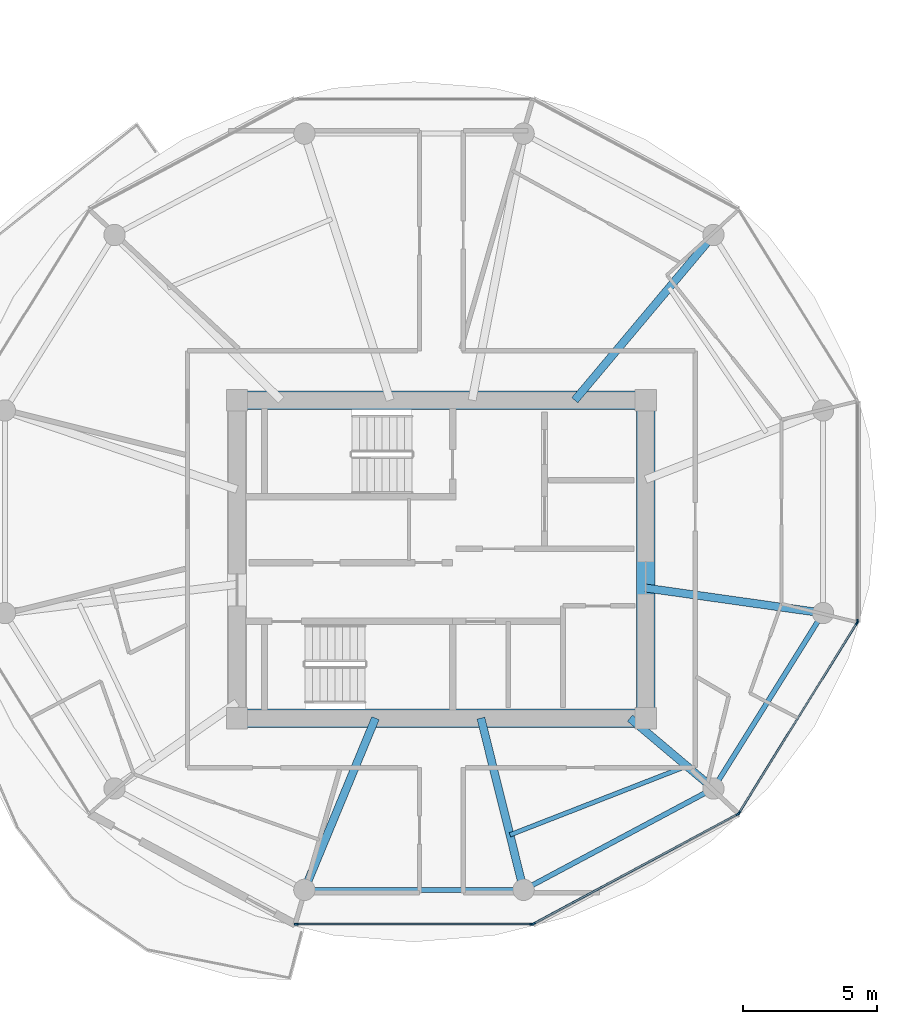
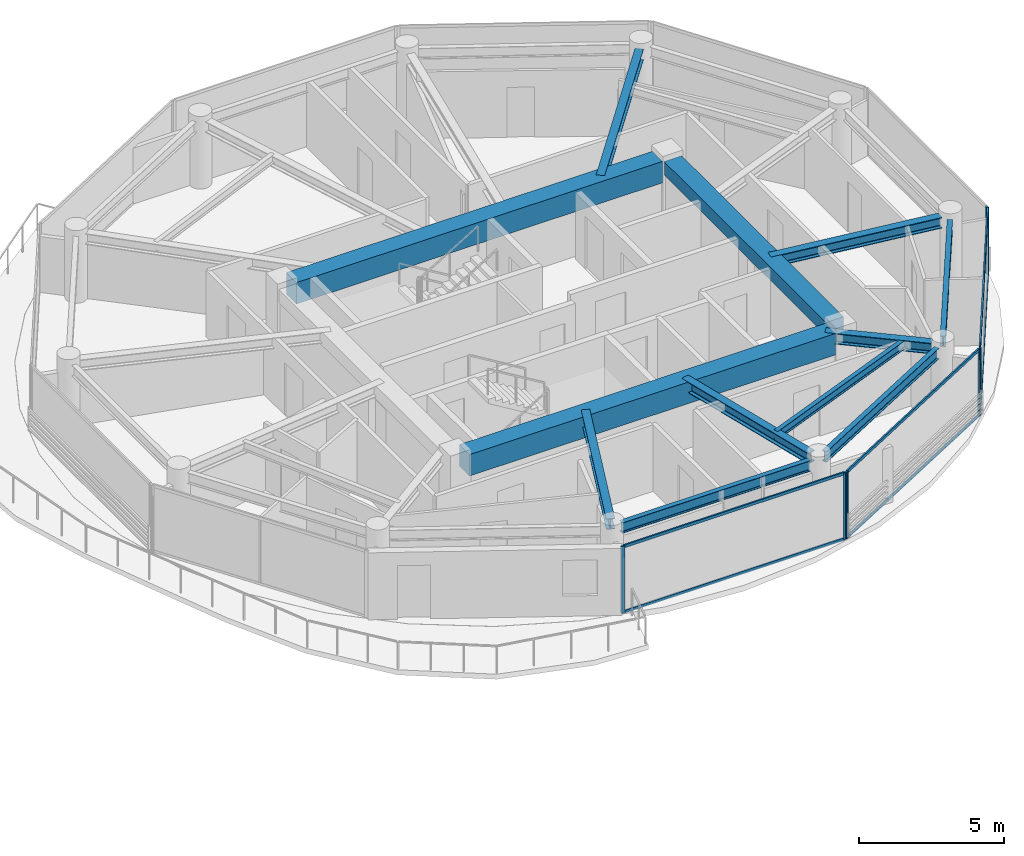
# One storey, part 10 of 21: 13 members, 12 beams, 4 elements without a shape of their own.
"""IFC4 building model written with IfcOpenShell, lengths in metres."""

from ifc_helpers import new_model, si_unit, direction, frame, origin, origin_2d, place, context, subcontext, project, spatial, rectangle, i_section, extrude, source, transform, mapped, material, layer, layer_set, material_profile, profile_set, type_object, type_shapes, element, aggregate, save


model = new_model("IFC4")

# Units and contexts
model_context = context("Model", 3, precision=1e-05, world=origin(), true_north=direction((0.0, 1.0)))
body_context = subcontext(model_context, "Body", "Model", "MODEL_VIEW")
ifc_project = project(units=[si_unit("LENGTHUNIT", "METRE"), si_unit("AREAUNIT", "SQUARE_METRE"), si_unit("VOLUMEUNIT", "CUBIC_METRE"), si_unit("PLANEANGLEUNIT", "RADIAN"), si_unit("MASSUNIT", "GRAM", prefix="KILO")], contexts=[model_context])

# Site, building, storey
site_placement = place(None, origin())
site = spatial("IfcSite", under=ifc_project, at=site_placement, CompositionType="ELEMENT")
building_placement = place(site_placement, origin())
building = spatial("IfcBuilding", under=site, at=building_placement, Name="Norrkilde Senior Care Towers", CompositionType="ELEMENT")
storey_placement = place(building_placement, frame((0.0, 0.0, 140.39990234375)))
storey = spatial("IfcBuildingStorey", under=building, at=storey_placement, Name="L43", CompositionType="ELEMENT", Elevation=140.39990234375)

# Beams
ifc_material_1 = material(Name="Concrete C60/75", Category="concrete")
ifc_material_profile_1 = material_profile(ifc_material_1, rectangle(XDim=0.699951171875, YDim=0.89990234375, at=origin_2d()), Name="RC BM 700x900")
ifc_profile_set_1 = profile_set([ifc_material_profile_1], Name="Concrete C60/75")
beam_type_1 = type_object("IfcBeamType", Name="Core Coupling Girder 700x900", PredefinedType="USERDEFINED", material=ifc_profile_set_1)
shared_shape_1 = source(origin(), body_context, "Body", "SweptSolid", [
    extrude(rectangle(XDim=0.699951171875, YDim=0.89990234375, at=origin_2d()), origin(), (0.0, 0.0, 1.0), 14.5400390625),
])
type_shapes(beam_type_1, [shared_shape_1])
for number, where, z_axis, x_axis, name in (
    (1, (20.72998046875, 5.949951171875, 2.360107421875), (1.0, 0.0, 0.0), (0.0, 1.0, 0.0), "L43 Core E N Coupling Girder"),
    (2, (20.72998046875, -5.949951171875, 2.360107421875), (1.0, 0.0, 0.0), (0.0, 1.0, 0.0), "L43 Core E S Coupling Girder"),
):
    element("IfcBeam", number, at=place(storey_placement, frame(where, z_axis=z_axis, x_axis=x_axis)), inside=storey, type_object=beam_type_1, Name=name, ObjectType="GIRDER", PredefinedType="USERDEFINED", context=body_context, shape_type="MappedRepresentation", body=[
        mapped(shared_shape_1, transform((0.0, 0.0, 0.0), x_axis=(1.0, 0.0, 0.0), y_axis=(0.0, 1.0, 0.0), z_axis=(0.0, 0.0, 1.0), scale=1.0)),
    ])
ifc_material_profile_2 = material_profile(ifc_material_1, rectangle(XDim=0.699951171875, YDim=0.550048828125, at=origin_2d()), Name="RC BM 700x550")
ifc_profile_set_2 = profile_set([ifc_material_profile_2], Name="Concrete C60/75")
beam_type_2 = type_object("IfcBeamType", Name="Core Portal Coupling Beam 700x550", PredefinedType="USERDEFINED", material=ifc_profile_set_2)
shared_shape_2 = source(origin(), body_context, "Body", "SweptSolid", [
    extrude(rectangle(XDim=0.699951171875, YDim=0.550048828125, at=origin_2d()), origin(), (0.0, 0.0, 1.0), 11.14013671875),
])
type_shapes(beam_type_2, [shared_shape_2])
beam_1_placement = place(storey_placement, frame((35.64990234375, -5.570068359375, 2.53515625), z_axis=(0.0, 1.0, 0.0), x_axis=(-1.0, 0.0, 0.0)))
element("IfcBeam", 3, at=beam_1_placement, inside=storey, type_object=beam_type_2, Name="L43 Core E E Coupling Girder", ObjectType="GIRDER", PredefinedType="USERDEFINED", context=body_context, shape_type="MappedRepresentation", body=[
    mapped(shared_shape_2, transform((0.0, 0.0, 0.0), x_axis=(1.0, 0.0, 0.0), y_axis=(0.0, 1.0, 0.0), z_axis=(0.0, 0.0, 1.0), scale=1.0)),
])
ifc_material_2 = material(Name="Steel S355", Category="steel")
ifc_material_profile_3 = material_profile(ifc_material_2, i_section(OverallWidth=0.18994140625, OverallDepth=0.449951171875, WebThickness=0.009521484375, FlangeThickness=0.0146484375, FilletRadius=0.02099609375, at=origin_2d()), Name="IPE 450")
ifc_profile_set_3 = profile_set([ifc_material_profile_3], Name="Steel S355")
beam_type_3 = type_object("IfcBeamType", Name="Perimeter Ring Spandrel Z3 IPE450", PredefinedType="SPANDREL", material=ifc_profile_set_3)
shared_shape_3 = source(origin(), body_context, "Body", "SweptSolid", [
    extrude(i_section(OverallWidth=0.18994140625, OverallDepth=0.449951171875, WebThickness=0.009521484375, FlangeThickness=0.0146484375, FilletRadius=0.02099609375, at=origin_2d()), origin(), (0.0, 0.0, 1.0), 7.484619140625),
])
beam_2_placement = place(storey_placement, frame((23.232666015625, -12.37548828125, 2.585205078125), z_axis=(1.0, 0.0, 0.0), x_axis=(0.0, 1.0, 0.0)))
element("IfcBeam", 4, at=beam_2_placement, inside=storey, type_object=beam_type_3, Name="L43 Drum E Perimeter Spandrel 09", PredefinedType="SPANDREL", context=body_context, shape_type="MappedRepresentation", body=[
    mapped(shared_shape_3, transform((0.0, 0.0, 0.0), x_axis=(1.0, 0.0, 0.0), y_axis=(0.0, 1.0, 0.0), z_axis=(0.0, 0.0, 1.0), scale=1.0)),
])
ifc_material_profile_4 = material_profile(ifc_material_2, i_section(OverallWidth=0.300048828125, OverallDepth=0.449951171875, WebThickness=0.013916015625, FlangeThickness=0.02587890625, FilletRadius=0.027099609375, at=origin_2d()), Name="HEB 450")
ifc_profile_set_4 = profile_set([ifc_material_profile_4], Name="Steel S355")
beam_type_4 = type_object("IfcBeamType", Name="Radial Floor Beam Z3 HEB450", PredefinedType="BEAM", material=ifc_profile_set_4)
shared_shape_4 = source(origin(), body_context, "Body", "SweptSolid", [
    extrude(i_section(OverallWidth=0.300048828125, OverallDepth=0.449951171875, WebThickness=0.013916015625, FlangeThickness=0.02587890625, FilletRadius=0.027099609375, at=origin_2d()), origin(), (0.0, 0.0, 1.0), 7.71337890625),
])
beam_3_placement = place(storey_placement, frame((32.992919921875, 5.949951171875, 2.585205078125), z_axis=(0.642808239864, 0.766027131872, 0.0), x_axis=(-0.766027131872, 0.642808239864, 0.0)))
element("IfcBeam", 5, at=beam_3_placement, inside=storey, type_object=beam_type_4, Name="L43 Drum E Radial Floor Beam 02", PredefinedType="BEAM", context=body_context, shape_type="MappedRepresentation", body=[
    mapped(shared_shape_4, transform((0.0, 0.0, 0.0), x_axis=(1.0, 0.0, 0.0), y_axis=(0.0, 1.0, 0.0), z_axis=(0.0, 0.0, 1.0), scale=1.0)),
])
shared_shape_5 = source(origin(), body_context, "Body", "SweptSolid", [
    extrude(i_section(OverallWidth=0.18994140625, OverallDepth=0.449951171875, WebThickness=0.009521484375, FlangeThickness=0.0146484375, FilletRadius=0.02099609375, at=origin_2d()), origin(), (0.0, 0.0, 1.0), 7.023193359375),
])
beam_4_placement = place(storey_placement, frame((38.373291015625, -8.2783203125, 2.585205078125), z_axis=(0.529805197269, 0.848119362441, 0.0), x_axis=(-0.848119362441, 0.529805197269, 0.0)))
element("IfcBeam", 6, at=beam_4_placement, inside=storey, type_object=beam_type_3, Name="L43 Drum E Perimeter Spandrel 11", PredefinedType="SPANDREL", context=body_context, shape_type="MappedRepresentation", body=[
    mapped(shared_shape_5, transform((0.0, 0.0, 0.0), x_axis=(1.0, 0.0, 0.0), y_axis=(0.0, 1.0, 0.0), z_axis=(0.0, 0.0, 1.0), scale=1.0)),
])
shared_shape_6 = source(origin(), body_context, "Body", "SweptSolid", [
    extrude(i_section(OverallWidth=0.300048828125, OverallDepth=0.449951171875, WebThickness=0.013916015625, FlangeThickness=0.02587890625, FilletRadius=0.027099609375, at=origin_2d()), origin(), (0.0, 0.0, 1.0), 6.3408203125),
])
beam_5_placement = place(storey_placement, frame((35.64990234375, -1.079833984375, 2.585205078125), z_axis=(0.990184519576, -0.139766294905, 0.0), x_axis=(0.139766294905, 0.990184519576, 0.0)))
element("IfcBeam", 7, at=beam_5_placement, inside=storey, type_object=beam_type_4, Name="L43 Drum E Radial Floor Beam 12", PredefinedType="BEAM", context=body_context, shape_type="MappedRepresentation", body=[
    mapped(shared_shape_6, transform((0.0, 0.0, 0.0), x_axis=(1.0, 0.0, 0.0), y_axis=(0.0, 1.0, 0.0), z_axis=(0.0, 0.0, 1.0), scale=1.0)),
])
shared_shape_7 = source(origin(), body_context, "Body", "SweptSolid", [
    extrude(i_section(OverallWidth=0.18994140625, OverallDepth=0.449951171875, WebThickness=0.009521484375, FlangeThickness=0.0146484375, FilletRadius=0.02099609375, at=origin_2d()), origin(), (0.0, 0.0, 1.0), 7.333984375),
])
type_shapes(beam_type_3, [shared_shape_3, shared_shape_5, shared_shape_7])
beam_6_placement = place(storey_placement, frame((31.394775390625, -12.2060546875, 2.585205078125), z_axis=(0.882234038987, 0.470811109101, 0.0), x_axis=(-0.470811109101, 0.882234038987, 0.0)))
element("IfcBeam", 8, at=beam_6_placement, inside=storey, type_object=beam_type_3, Name="L43 Drum E Perimeter Spandrel 10", PredefinedType="SPANDREL", context=body_context, shape_type="MappedRepresentation", body=[
    mapped(shared_shape_7, transform((0.0, 0.0, 0.0), x_axis=(1.0, 0.0, 0.0), y_axis=(0.0, 1.0, 0.0), z_axis=(0.0, 0.0, 1.0), scale=1.0)),
])
shared_shape_8 = source(origin(), body_context, "Body", "SweptSolid", [
    extrude(i_section(OverallWidth=0.300048828125, OverallDepth=0.449951171875, WebThickness=0.013916015625, FlangeThickness=0.02587890625, FilletRadius=0.027099609375, at=origin_2d()), origin(), (0.0, 0.0, 1.0), 3.7265625),
])
beam_7_placement = place(storey_placement, frame((35.058349609375, -5.949951171875, 2.585205078125), z_axis=(0.764567902106, -0.644543189453, 0.0), x_axis=(0.644543189453, 0.764567902106, 0.0)))
element("IfcBeam", 9, at=beam_7_placement, inside=storey, type_object=beam_type_4, Name="L43 Drum E Radial Floor Beam 11", PredefinedType="BEAM", context=body_context, shape_type="MappedRepresentation", body=[
    mapped(shared_shape_8, transform((0.0, 0.0, 0.0), x_axis=(1.0, 0.0, 0.0), y_axis=(0.0, 1.0, 0.0), z_axis=(0.0, 0.0, 1.0), scale=1.0)),
])
shared_shape_9 = source(origin(), body_context, "Body", "SweptSolid", [
    extrude(i_section(OverallWidth=0.300048828125, OverallDepth=0.449951171875, WebThickness=0.013916015625, FlangeThickness=0.02587890625, FilletRadius=0.027099609375, at=origin_2d()), origin(), (0.0, 0.0, 1.0), 6.26123046875),
])
beam_8_placement = place(storey_placement, frame((29.4794921875, -5.949951171875, 2.585205078125), z_axis=(0.241324375921, -0.970444509277, 0.0), x_axis=(0.970444509277, 0.241324375921, 0.0)))
element("IfcBeam", 10, at=beam_8_placement, inside=storey, type_object=beam_type_4, Name="L43 Drum E Radial Floor Beam 10", PredefinedType="BEAM", context=body_context, shape_type="MappedRepresentation", body=[
    mapped(shared_shape_9, transform((0.0, 0.0, 0.0), x_axis=(1.0, 0.0, 0.0), y_axis=(0.0, 1.0, 0.0), z_axis=(0.0, 0.0, 1.0), scale=1.0)),
])
shared_shape_10 = source(origin(), body_context, "Body", "SweptSolid", [
    extrude(i_section(OverallWidth=0.300048828125, OverallDepth=0.449951171875, WebThickness=0.013916015625, FlangeThickness=0.02587890625, FilletRadius=0.027099609375, at=origin_2d()), origin(), (0.0, 0.0, 1.0), 6.59521484375),
])
type_shapes(beam_type_4, [shared_shape_4, shared_shape_6, shared_shape_8, shared_shape_9, shared_shape_10])
beam_9_placement = place(storey_placement, frame((25.534912109375, -5.949951171875, 2.585205078125), z_axis=(-0.382761541363, -0.923847174836, 0.0), x_axis=(0.923847174836, -0.382761541363, 0.0)))
element("IfcBeam", 11, at=beam_9_placement, inside=storey, type_object=beam_type_4, Name="L43 Drum E Radial Floor Beam 09", PredefinedType="BEAM", context=body_context, shape_type="MappedRepresentation", body=[
    mapped(shared_shape_10, transform((0.0, 0.0, 0.0), x_axis=(1.0, 0.0, 0.0), y_axis=(0.0, 1.0, 0.0), z_axis=(0.0, 0.0, 1.0), scale=1.0)),
])
ifc_material_profile_5 = material_profile(ifc_material_2, i_section(OverallWidth=0.169921875, OverallDepth=0.360107421875, WebThickness=0.008056640625, FlangeThickness=0.0126953125, FilletRadius=0.01806640625, at=origin_2d()), Name="IPE 360")
ifc_profile_set_5 = profile_set([ifc_material_profile_5], Name="Steel S355")
beam_type_5 = type_object("IfcBeamType", Name="Secondary Floor Joist IPE360", PredefinedType="JOIST", material=ifc_profile_set_5)
shared_shape_11 = source(origin(), body_context, "Body", "SweptSolid", [
    extrude(i_section(OverallWidth=0.169921875, OverallDepth=0.360107421875, WebThickness=0.008056640625, FlangeThickness=0.0126953125, FilletRadius=0.01806640625, at=origin_2d()), origin(), (0.0, 0.0, 1.0), 7.1015625),
])
type_shapes(beam_type_5, [shared_shape_11])
beam_10_placement = place(storey_placement, frame((30.56591796875, -10.3193359375, 2.630126953125), z_axis=(0.931761231292, 0.363071629106, 0.0), x_axis=(-0.363071629106, 0.931761231292, 0.0)))
element("IfcBeam", 12, at=beam_10_placement, inside=storey, type_object=beam_type_5, Name="L43 Drum E Secondary Floor Joist 4", PredefinedType="JOIST", context=body_context, shape_type="MappedRepresentation", body=[
    mapped(shared_shape_11, transform((0.0, 0.0, 0.0), x_axis=(1.0, 0.0, 0.0), y_axis=(0.0, 1.0, 0.0), z_axis=(0.0, 0.0, 1.0), scale=1.0)),
])

# Curtain wall, members
ifc_material_3 = material(Name="Triple Low-E Insulated Glazing", Category="glass")
ifc_layer = layer(ifc_material_3, 0.18994140625)
ifc_layer_set = layer_set([ifc_layer], Name="Triple Low-E Insulated Glazing")
curtain_wall_type = type_object("IfcCurtainWallType", Name="CW4 Zone 3 Senior Residence Curtain Wall", PredefinedType="NOTDEFINED", material=ifc_layer_set)
curtain_wall_1_placement = place(storey_placement, origin())
curtain_wall_1 = element("IfcCurtainWall", 13, at=curtain_wall_1_placement, inside=storey, type_object=curtain_wall_type, Name="L43 Drum E Curtain Wall 08", PredefinedType="NOTDEFINED")
ifc_material_4 = material(Name="Anodised Aluminium", Category="aluminium")
ifc_material_profile_6 = material_profile(ifc_material_4, rectangle(XDim=0.06494140625, YDim=0.14990234375, at=origin_2d()), Name="ALU MULL 65x150")
ifc_profile_set_6 = profile_set([ifc_material_profile_6], Name="Anodised Aluminium")
member_type_1 = type_object("IfcMemberType", Name="Curtain Wall Mullion Z3-Z4 65x150", PredefinedType="MULLION", material=ifc_profile_set_6)
shared_shape_12 = source(origin(), body_context, "Body", "SweptSolid", [
    extrude(rectangle(XDim=0.06494140625, YDim=0.14990234375, at=origin_2d()), origin(), (0.0, 0.0, 1.0), 2.81005859375),
])
type_shapes(member_type_1, [shared_shape_12])
member_1_placement = place(storey_placement, frame((31.388916015625, -13.66015625, 0.0), z_axis=(0.0, 0.0, 1.0), x_axis=(0.0, -1.0, 0.0)))
member_1 = element("IfcMember", 14, at=member_1_placement, type_object=member_type_1, Name="CW-4 mullion 1", PredefinedType="MULLION", context=body_context, shape_type="MappedRepresentation", body=[
    mapped(shared_shape_12, transform((0.0, 0.0, 0.0), x_axis=(1.0, 0.0, 0.0), y_axis=(0.0, 1.0, 0.0), z_axis=(0.0, 0.0, 1.0), scale=1.0)),
])
member_2_placement = place(storey_placement, frame((22.56103515625, -13.66015625, 0.0), z_axis=(0.0, 0.0, 1.0), x_axis=(0.0, -1.0, 0.0)))
member_2 = element("IfcMember", 15, at=member_2_placement, type_object=member_type_1, Name="CW-4 mullion 2", PredefinedType="MULLION", context=body_context, shape_type="MappedRepresentation", body=[
    mapped(shared_shape_12, transform((0.0, 0.0, 0.0), x_axis=(1.0, 0.0, 0.0), y_axis=(0.0, 1.0, 0.0), z_axis=(0.0, 0.0, 1.0), scale=1.0)),
])

curtain_wall_2_placement = place(storey_placement, origin())
curtain_wall_2 = element("IfcCurtainWall", 16, at=curtain_wall_2_placement, inside=storey, type_object=curtain_wall_type, Name="L43 Drum E Curtain Wall 09", PredefinedType="NOTDEFINED")
member_3_placement = place(storey_placement, frame((39.094482421875, -9.53955078125, 0.0), z_axis=(0.0, 0.0, 1.0), x_axis=(0.47311715104, -0.880999524059, 0.0)))
member_3 = element("IfcMember", 17, at=member_3_placement, type_object=member_type_1, Name="CW-4 mullion 1", PredefinedType="MULLION", context=body_context, shape_type="MappedRepresentation", body=[
    mapped(shared_shape_12, transform((0.0, 0.0, 0.0), x_axis=(1.0, 0.0, 0.0), y_axis=(0.0, 1.0, 0.0), z_axis=(0.0, 0.0, 1.0), scale=1.0)),
])
member_4_placement = place(storey_placement, frame((31.4501953125, -13.644775390625, 0.0), z_axis=(0.0, 0.0, 1.0), x_axis=(0.47311715104, -0.880999524059, 0.0)))
member_4 = element("IfcMember", 18, at=member_4_placement, type_object=member_type_1, Name="CW-4 mullion 2", PredefinedType="MULLION", context=body_context, shape_type="MappedRepresentation", body=[
    mapped(shared_shape_12, transform((0.0, 0.0, 0.0), x_axis=(1.0, 0.0, 0.0), y_axis=(0.0, 1.0, 0.0), z_axis=(0.0, 0.0, 1.0), scale=1.0)),
])

curtain_wall_3_placement = place(storey_placement, origin())
curtain_wall_3 = element("IfcCurtainWall", 19, at=curtain_wall_3_placement, inside=storey, type_object=curtain_wall_type, Name="L43 Drum E Curtain Wall 10", PredefinedType="NOTDEFINED")
member_5_placement = place(storey_placement, frame((43.552490234375, -2.38818359375, 0.0), z_axis=(0.0, 0.0, 1.0), x_axis=(0.84963405474, -0.52737270789, 0.0)))
member_5 = element("IfcMember", 20, at=member_5_placement, type_object=member_type_1, Name="CW-4 mullion 1", PredefinedType="MULLION", context=body_context, shape_type="MappedRepresentation", body=[
    mapped(shared_shape_12, transform((0.0, 0.0, 0.0), x_axis=(1.0, 0.0, 0.0), y_axis=(0.0, 1.0, 0.0), z_axis=(0.0, 0.0, 1.0), scale=1.0)),
])
member_6_placement = place(storey_placement, frame((39.14013671875, -9.49658203125, 0.0), z_axis=(0.0, 0.0, 1.0), x_axis=(0.84963405474, -0.52737270789, 0.0)))
member_6 = element("IfcMember", 21, at=member_6_placement, type_object=member_type_1, Name="CW-4 mullion 2", PredefinedType="MULLION", context=body_context, shape_type="MappedRepresentation", body=[
    mapped(shared_shape_12, transform((0.0, 0.0, 0.0), x_axis=(1.0, 0.0, 0.0), y_axis=(0.0, 1.0, 0.0), z_axis=(0.0, 0.0, 1.0), scale=1.0)),
])

# Curtain wall, member
curtain_wall_4_placement = place(storey_placement, origin())
curtain_wall_4 = element("IfcCurtainWall", 22, at=curtain_wall_4_placement, inside=storey, type_object=curtain_wall_type, Name="L43 Drum E Curtain Wall 11", PredefinedType="NOTDEFINED")
member_7_placement = place(storey_placement, frame((43.569580078125, -2.328125, 0.0), z_axis=(0.0, 0.0, 1.0), x_axis=(1.0, 0.0, 0.0)))
member_7 = element("IfcMember", 23, at=member_7_placement, type_object=member_type_1, Name="CW-4 mullion 2", PredefinedType="MULLION", context=body_context, shape_type="MappedRepresentation", body=[
    mapped(shared_shape_12, transform((0.0, 0.0, 0.0), x_axis=(1.0, 0.0, 0.0), y_axis=(0.0, 1.0, 0.0), z_axis=(0.0, 0.0, 1.0), scale=1.0)),
])
aggregate(curtain_wall_4, [member_7])

# Member
ifc_material_profile_7 = material_profile(ifc_material_4, rectangle(XDim=0.06005859375, YDim=0.1201171875, at=origin_2d()), Name="ALU TRAN 60x120")
ifc_profile_set_7 = profile_set([ifc_material_profile_7], Name="Anodised Aluminium")
member_type_2 = type_object("IfcMemberType", Name="Curtain Wall Transom Typical 60x120", PredefinedType="USERDEFINED", material=ifc_profile_set_7)
shared_shape_13 = source(origin(), body_context, "Body", "SweptSolid", [
    extrude(rectangle(XDim=0.06005859375, YDim=0.1201171875, at=origin_2d()), origin(), (0.0, 0.0, 1.0), 8.301513671875),
])
member_8_placement = place(storey_placement, frame((43.535400390625, -2.415771484375, 0.030029296875), z_axis=(-0.527368718394, -0.849636531029, 0.0), x_axis=(0.849636531029, -0.527368718394, 0.0)))
member_8 = element("IfcMember", 24, at=member_8_placement, type_object=member_type_2, Name="CW-4 transom 1.1", ObjectType="TRANSOM", PredefinedType="USERDEFINED", context=body_context, shape_type="MappedRepresentation", body=[
    mapped(shared_shape_13, transform((0.0, 0.0, 0.0), x_axis=(1.0, 0.0, 0.0), y_axis=(0.0, 1.0, 0.0), z_axis=(0.0, 0.0, 1.0), scale=1.0)),
])

member_9_placement = place(storey_placement, frame((43.535400390625, -2.415771484375, 2.780029296875), z_axis=(-0.527368718394, -0.849636531029, 0.0), x_axis=(0.849636531029, -0.527368718394, 0.0)))
member_9 = element("IfcMember", 25, at=member_9_placement, type_object=member_type_2, Name="CW-4 transom 1.2", ObjectType="TRANSOM", PredefinedType="USERDEFINED", context=body_context, shape_type="MappedRepresentation", body=[
    mapped(shared_shape_13, transform((0.0, 0.0, 0.0), x_axis=(1.0, 0.0, 0.0), y_axis=(0.0, 1.0, 0.0), z_axis=(0.0, 0.0, 1.0), scale=1.0)),
])

aggregate(curtain_wall_3, [member_5, member_6, member_8, member_9])

shared_shape_14 = source(origin(), body_context, "Body", "SweptSolid", [
    extrude(rectangle(XDim=0.06005859375, YDim=0.1201171875, at=origin_2d()), origin(), (0.0, 0.0, 1.0), 8.762939453125),
])
member_10_placement = place(storey_placement, frame((31.3564453125, -13.66015625, 0.030029296875), z_axis=(-1.0, 0.0, 0.0), x_axis=(0.0, -1.0, 0.0)))
member_10 = element("IfcMember", 26, at=member_10_placement, type_object=member_type_2, Name="CW-4 transom 1.1", ObjectType="TRANSOM", PredefinedType="USERDEFINED", context=body_context, shape_type="MappedRepresentation", body=[
    mapped(shared_shape_14, transform((0.0, 0.0, 0.0), x_axis=(1.0, 0.0, 0.0), y_axis=(0.0, 1.0, 0.0), z_axis=(0.0, 0.0, 1.0), scale=1.0)),
])

member_11_placement = place(storey_placement, frame((31.3564453125, -13.66015625, 2.780029296875), z_axis=(-1.0, 0.0, 0.0), x_axis=(0.0, -1.0, 0.0)))
member_11 = element("IfcMember", 27, at=member_11_placement, type_object=member_type_2, Name="CW-4 transom 1.2", ObjectType="TRANSOM", PredefinedType="USERDEFINED", context=body_context, shape_type="MappedRepresentation", body=[
    mapped(shared_shape_14, transform((0.0, 0.0, 0.0), x_axis=(1.0, 0.0, 0.0), y_axis=(0.0, 1.0, 0.0), z_axis=(0.0, 0.0, 1.0), scale=1.0)),
])

aggregate(curtain_wall_1, [member_1, member_2, member_10, member_11])

shared_shape_15 = source(origin(), body_context, "Body", "SweptSolid", [
    extrude(rectangle(XDim=0.06005859375, YDim=0.1201171875, at=origin_2d()), origin(), (0.0, 0.0, 1.0), 8.612060546875),
])
type_shapes(member_type_2, [shared_shape_13, shared_shape_14, shared_shape_15])
member_12_placement = place(storey_placement, frame((39.06591796875, -9.554931640625, 0.030029296875), z_axis=(-0.881000337462, -0.473115636384, 0.0), x_axis=(0.473115636384, -0.881000337462, 0.0)))
member_12 = element("IfcMember", 28, at=member_12_placement, type_object=member_type_2, Name="CW-4 transom 1.1", ObjectType="TRANSOM", PredefinedType="USERDEFINED", context=body_context, shape_type="MappedRepresentation", body=[
    mapped(shared_shape_15, transform((0.0, 0.0, 0.0), x_axis=(1.0, 0.0, 0.0), y_axis=(0.0, 1.0, 0.0), z_axis=(0.0, 0.0, 1.0), scale=1.0)),
])

member_13_placement = place(storey_placement, frame((39.06591796875, -9.554931640625, 2.780029296875), z_axis=(-0.881000337462, -0.473115636384, 0.0), x_axis=(0.473115636384, -0.881000337462, 0.0)))
member_13 = element("IfcMember", 29, at=member_13_placement, type_object=member_type_2, Name="CW-4 transom 1.2", ObjectType="TRANSOM", PredefinedType="USERDEFINED", context=body_context, shape_type="MappedRepresentation", body=[
    mapped(shared_shape_15, transform((0.0, 0.0, 0.0), x_axis=(1.0, 0.0, 0.0), y_axis=(0.0, 1.0, 0.0), z_axis=(0.0, 0.0, 1.0), scale=1.0)),
])

aggregate(curtain_wall_2, [member_3, member_4, member_12, member_13])

save(model, "model.ifc")
